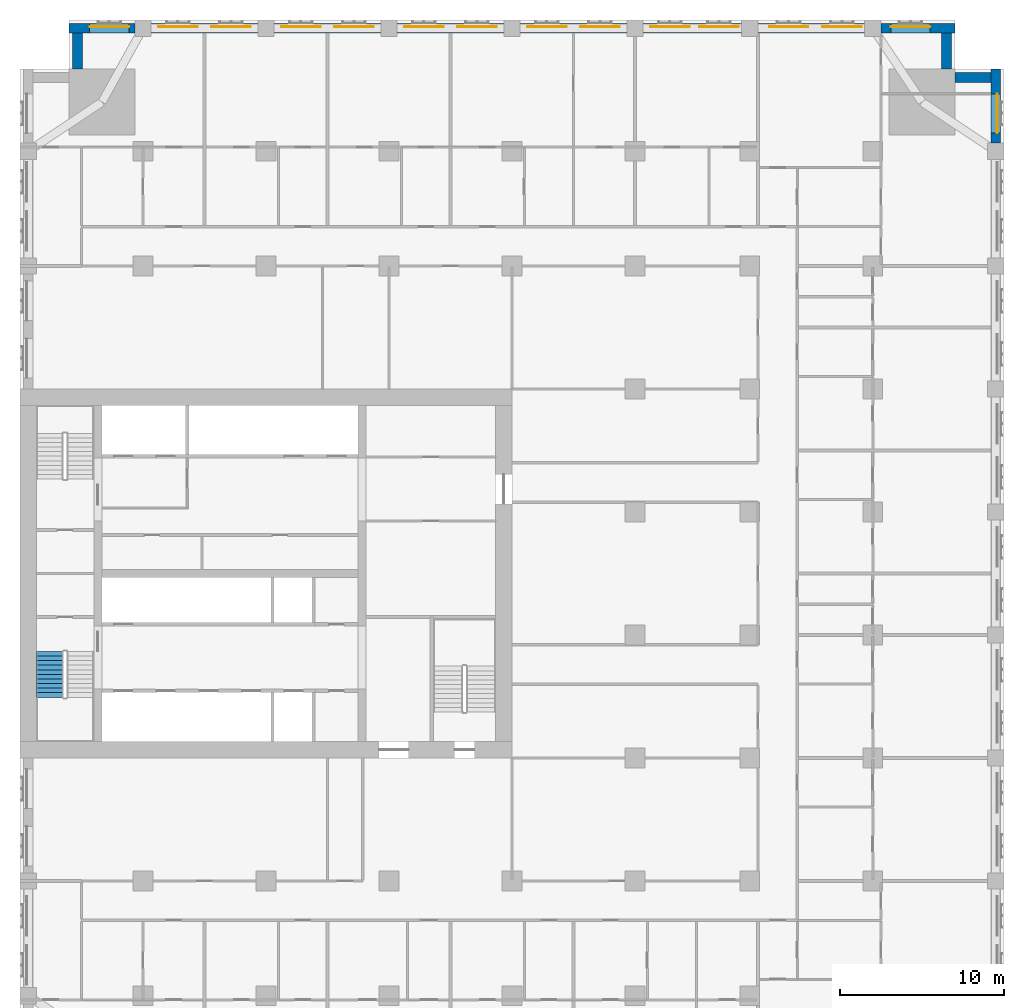
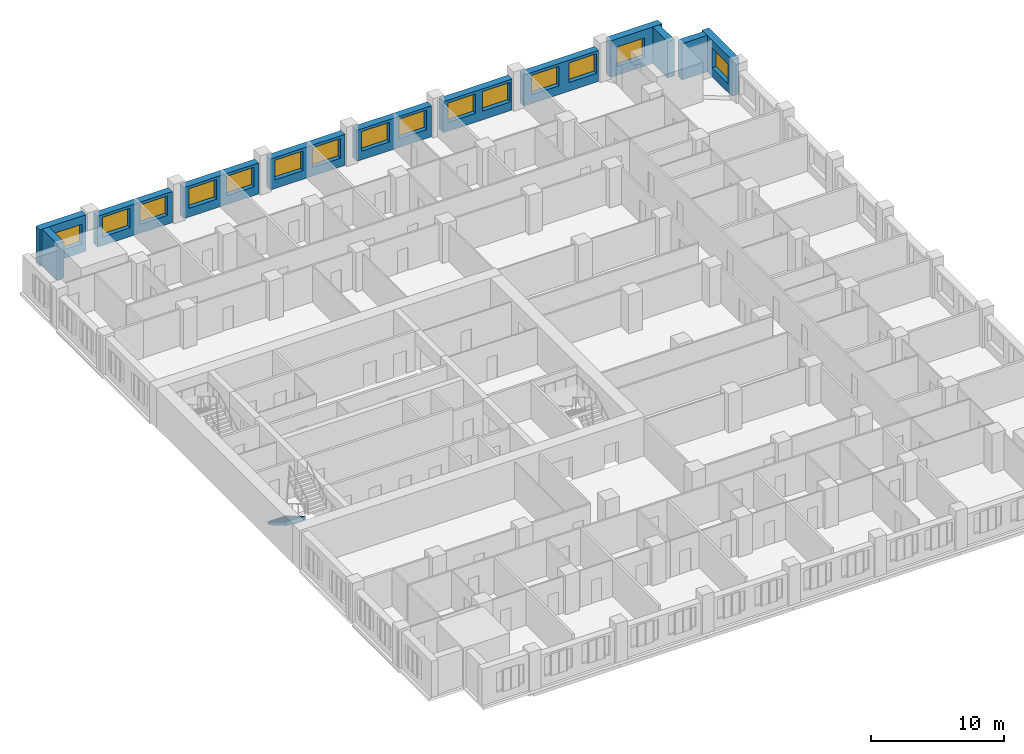
# One storey, part 11 of 14: 15 windows, 12 walls, 1 stair flight, 15 openings, 1 element without a shape of its own.
"""IFC4 building model written with IfcOpenShell, lengths in metres."""

from ifc_helpers import new_model, si_unit, direction, frame, frame_2d, origin, place, context, subcontext, project, spatial, polyline, rectangle, outline, extrude, material, layer, layer_set, type_object, element, fill, aggregate, save


model = new_model("IFC4")

# Units and contexts
model_context = context("Model", 3, precision=1e-05, world=origin(), true_north=direction((0.0, 1.0)))
body_context = subcontext(model_context, "Body", "Model", "MODEL_VIEW")
ifc_project = project(units=[si_unit("LENGTHUNIT", "METRE"), si_unit("AREAUNIT", "SQUARE_METRE"), si_unit("VOLUMEUNIT", "CUBIC_METRE"), si_unit("PLANEANGLEUNIT", "RADIAN"), si_unit("MASSUNIT", "GRAM", prefix="KILO")], contexts=[model_context])

# Site, building, storey
site_placement = place(None, origin())
site = spatial("IfcSite", under=ifc_project, at=site_placement, CompositionType="ELEMENT")
building_placement = place(site_placement, origin())
building = spatial("IfcBuilding", under=site, at=building_placement, Name="Tamorin Gate", CompositionType="ELEMENT")
storey_placement = place(building_placement, frame((0.0, 0.0, 37.60009765625)))
storey = spatial("IfcBuildingStorey", under=building, at=storey_placement, Name="L07", CompositionType="ELEMENT", Elevation=37.60009765625)

# Wall, opening, window
ifc_material_1 = material(Name="Precast concrete C40/50", Category="concrete")
ifc_layer = layer(ifc_material_1, 0.60009765625)
ifc_layer_set = layer_set([ifc_layer], Name="Precast concrete C40/50")
wall_type = type_object("IfcWallType", Name="Board-marked concrete facade panel 600", PredefinedType="SOLIDWALL", material=ifc_layer_set)
wall_1_placement = place(storey_placement, frame((89.5, 97.5, 0.0), z_axis=(0.0, 0.0, 1.0), x_axis=(0.0, 1.0, 0.0)))
wall_1 = element("IfcWall", 1, at=wall_1_placement, inside=storey, type_object=wall_type, Name="Facade panel", PredefinedType="SOLIDWALL", context=body_context, shape_type="SweptSolid", body=[
    extrude(rectangle(XDim=4.5, YDim=0.60009765625, at=frame_2d((2.25, 0.0))), origin(), (0.0, 0.0, 1.0), 3.349853515625),
])
opening_1_placement = place(wall_1_placement, frame((0.60009765625, 0.0, 0.800048828125)))
opening_1 = element("IfcOpeningElement", 2, at=opening_1_placement, cuts=wall_1, Name="Opening WN1", PredefinedType="OPENING", context=body_context, shape_type="SweptSolid", body=[
    extrude(rectangle(XDim=2.39990234375, YDim=1.800048828125, at=frame_2d((1.199951171875, 0.89990234375))), frame((0.0, 0.31005859375, 0.0), z_axis=(0.0, -1.0, 0.0), x_axis=(1.0, 0.0, 0.0)), (0.0, 0.0, 1.0), 0.6201171875),
])
ifc_material_2 = material(Name="Clear glass in aluminium frame", Category="aluminium")
window_type = type_object("IfcWindowType", Name="Deep-set window 2400x1800", PartitioningType="SINGLE_PANEL", PredefinedType="WINDOW", material=ifc_material_2)
window_1_placement = place(opening_1_placement, origin())
window_1 = element("IfcWindow", 3, at=window_1_placement, inside=storey, type_object=window_type, Name="Deep-set window", OverallHeight=1.800048828125, OverallWidth=2.39990234375, PartitioningType="SINGLE_PANEL", PredefinedType="WINDOW", context=body_context, shape_type="SweptSolid", body=[
    extrude(rectangle(XDim=2.39990234375, YDim=1.800048828125, at=frame_2d((1.199951171875, 0.89990234375))), frame((0.0, -0.070068359375, 0.0), z_axis=(0.0, -1.0, 0.0), x_axis=(1.0, 0.0, 0.0)), (0.0, 0.0, 1.0), 0.06005859375),
])
fill(opening_1, window_1)

# Walls
for number, where, z_axis, x_axis, name in (
    (4, (89.199951171875, 101.5, 0.0), (0.0, 0.0, 1.0), (-1.0, 0.0, 0.0), "Facade panel"),
    (5, (86.5, 102.0, 0.0), (0.0, 0.0, 1.0), (0.0, 1.0, 0.0), "Facade panel"),
):
    element("IfcWall", number, at=place(storey_placement, frame(where, z_axis=z_axis, x_axis=x_axis)), inside=storey, type_object=wall_type, Name=name, PredefinedType="SOLIDWALL", context=body_context, shape_type="SweptSolid", body=[
        extrude(rectangle(XDim=2.199951171875, YDim=0.60009765625, at=frame_2d((1.10009765625, 0.0))), origin(), (0.0, 0.0, 1.0), 3.349853515625),
    ])

# Wall, opening, window
wall_2_placement = place(storey_placement, frame((87.0, 104.5, 0.0), z_axis=(0.0, 0.0, 1.0), x_axis=(-1.0, 0.0, 0.0)))
wall_2 = element("IfcWall", 6, at=wall_2_placement, inside=storey, type_object=wall_type, Name="Facade panel", PredefinedType="SOLIDWALL", context=body_context, shape_type="SweptSolid", body=[
    extrude(rectangle(XDim=4.5, YDim=0.60009765625, at=frame_2d((2.25, 0.0))), origin(), (0.0, 0.0, 1.0), 3.349853515625),
])
opening_2_placement = place(wall_2_placement, frame((1.5, 0.0, 0.800048828125)))
opening_2 = element("IfcOpeningElement", 7, at=opening_2_placement, cuts=wall_2, Name="Opening WN1", PredefinedType="OPENING", context=body_context, shape_type="SweptSolid", body=[
    extrude(rectangle(XDim=2.39990234375, YDim=1.800048828125, at=frame_2d((1.199951171875, 0.89990234375))), frame((0.0, 0.31005859375, 0.0), z_axis=(0.0, -1.0, 0.0), x_axis=(1.0, 0.0, 0.0)), (0.0, 0.0, 1.0), 0.6201171875),
])
window_2_placement = place(opening_2_placement, origin())
window_2 = element("IfcWindow", 8, at=window_2_placement, inside=storey, type_object=window_type, Name="Deep-set window", OverallHeight=1.800048828125, OverallWidth=2.39990234375, PartitioningType="SINGLE_PANEL", PredefinedType="WINDOW", context=body_context, shape_type="SweptSolid", body=[
    extrude(rectangle(XDim=2.39990234375, YDim=1.800048828125, at=frame_2d((1.199951171875, 0.89990234375))), frame((0.0, -0.070068359375, 0.0), z_axis=(0.0, -1.0, 0.0), x_axis=(1.0, 0.0, 0.0)), (0.0, 0.0, 1.0), 0.06005859375),
])
fill(opening_2, window_2)

# Wall, openings, windows
wall_3_placement = place(storey_placement, frame((81.5, 104.5, 0.0), z_axis=(0.0, 0.0, 1.0), x_axis=(-1.0, 0.0, 0.0)))
wall_3 = element("IfcWall", 9, at=wall_3_placement, inside=storey, type_object=wall_type, Name="Facade panel", PredefinedType="SOLIDWALL", context=body_context, shape_type="SweptSolid", body=[
    extrude(rectangle(XDim=6.5, YDim=0.60009765625, at=frame_2d((3.25, 0.0))), origin(), (0.0, 0.0, 1.0), 2.849853515625),
])
opening_3_placement = place(wall_3_placement, frame((3.425048828125, 0.0, 0.800048828125)))
opening_3 = element("IfcOpeningElement", 10, at=opening_3_placement, cuts=wall_3, Name="Opening WN1", PredefinedType="OPENING", context=body_context, shape_type="SweptSolid", body=[
    extrude(rectangle(XDim=2.39990234375, YDim=1.800048828125, at=frame_2d((1.199951171875, 0.89990234375))), frame((0.0, 0.31005859375, 0.0), z_axis=(0.0, -1.0, 0.0), x_axis=(1.0, 0.0, 0.0)), (0.0, 0.0, 1.0), 0.6201171875),
])
opening_4_placement = place(wall_3_placement, frame((0.175048828125, 0.0, 0.800048828125)))
opening_4 = element("IfcOpeningElement", 11, at=opening_4_placement, cuts=wall_3, Name="Opening WN1", PredefinedType="OPENING", context=body_context, shape_type="SweptSolid", body=[
    extrude(rectangle(XDim=2.39990234375, YDim=1.800048828125, at=frame_2d((1.199951171875, 0.89990234375))), frame((0.0, 0.31005859375, 0.0), z_axis=(0.0, -1.0, 0.0), x_axis=(1.0, 0.0, 0.0)), (0.0, 0.0, 1.0), 0.6201171875),
])
window_3_placement = place(opening_3_placement, origin())
window_3 = element("IfcWindow", 12, at=window_3_placement, inside=storey, type_object=window_type, Name="Deep-set window", OverallHeight=1.800048828125, OverallWidth=2.39990234375, PartitioningType="SINGLE_PANEL", PredefinedType="WINDOW", context=body_context, shape_type="SweptSolid", body=[
    extrude(rectangle(XDim=2.39990234375, YDim=1.800048828125, at=frame_2d((1.199951171875, 0.89990234375))), frame((0.0, -0.070068359375, 0.0), z_axis=(0.0, -1.0, 0.0), x_axis=(1.0, 0.0, 0.0)), (0.0, 0.0, 1.0), 0.06005859375),
])
fill(opening_3, window_3)
window_4_placement = place(opening_4_placement, origin())
window_4 = element("IfcWindow", 13, at=window_4_placement, inside=storey, type_object=window_type, Name="Deep-set window", OverallHeight=1.800048828125, OverallWidth=2.39990234375, PartitioningType="SINGLE_PANEL", PredefinedType="WINDOW", context=body_context, shape_type="SweptSolid", body=[
    extrude(rectangle(XDim=2.39990234375, YDim=1.800048828125, at=frame_2d((1.199951171875, 0.89990234375))), frame((0.0, -0.070068359375, 0.0), z_axis=(0.0, -1.0, 0.0), x_axis=(1.0, 0.0, 0.0)), (0.0, 0.0, 1.0), 0.06005859375),
])
fill(opening_4, window_4)

wall_4_placement = place(storey_placement, frame((74.0, 104.5, 0.0), z_axis=(0.0, 0.0, 1.0), x_axis=(-1.0, 0.0, 0.0)))
wall_4 = element("IfcWall", 14, at=wall_4_placement, inside=storey, type_object=wall_type, Name="Facade panel", PredefinedType="SOLIDWALL", context=body_context, shape_type="SweptSolid", body=[
    extrude(rectangle(XDim=6.0, YDim=0.60009765625, at=frame_2d((3.0, 0.0))), origin(), (0.0, 0.0, 1.0), 2.849853515625),
])
opening_5_placement = place(wall_4_placement, frame((3.175048828125, 0.0, 0.800048828125)))
opening_5 = element("IfcOpeningElement", 15, at=opening_5_placement, cuts=wall_4, Name="Opening WN1", PredefinedType="OPENING", context=body_context, shape_type="SweptSolid", body=[
    extrude(rectangle(XDim=2.39990234375, YDim=1.800048828125, at=frame_2d((1.199951171875, 0.89990234375))), frame((0.0, 0.31005859375, 0.0), z_axis=(0.0, -1.0, 0.0), x_axis=(1.0, 0.0, 0.0)), (0.0, 0.0, 1.0), 0.6201171875),
])
opening_6_placement = place(wall_4_placement, frame((0.175048828125, 0.0, 0.800048828125)))
opening_6 = element("IfcOpeningElement", 16, at=opening_6_placement, cuts=wall_4, Name="Opening WN1", PredefinedType="OPENING", context=body_context, shape_type="SweptSolid", body=[
    extrude(rectangle(XDim=2.39990234375, YDim=1.800048828125, at=frame_2d((1.199951171875, 0.89990234375))), frame((0.0, 0.31005859375, 0.0), z_axis=(0.0, -1.0, 0.0), x_axis=(1.0, 0.0, 0.0)), (0.0, 0.0, 1.0), 0.6201171875),
])
window_5_placement = place(opening_5_placement, origin())
window_5 = element("IfcWindow", 17, at=window_5_placement, inside=storey, type_object=window_type, Name="Deep-set window", OverallHeight=1.800048828125, OverallWidth=2.39990234375, PartitioningType="SINGLE_PANEL", PredefinedType="WINDOW", context=body_context, shape_type="SweptSolid", body=[
    extrude(rectangle(XDim=2.39990234375, YDim=1.800048828125, at=frame_2d((1.199951171875, 0.89990234375))), frame((0.0, -0.070068359375, 0.0), z_axis=(0.0, -1.0, 0.0), x_axis=(1.0, 0.0, 0.0)), (0.0, 0.0, 1.0), 0.06005859375),
])
fill(opening_5, window_5)
window_6_placement = place(opening_6_placement, origin())
window_6 = element("IfcWindow", 18, at=window_6_placement, inside=storey, type_object=window_type, Name="Deep-set window", OverallHeight=1.800048828125, OverallWidth=2.39990234375, PartitioningType="SINGLE_PANEL", PredefinedType="WINDOW", context=body_context, shape_type="SweptSolid", body=[
    extrude(rectangle(XDim=2.39990234375, YDim=1.800048828125, at=frame_2d((1.199951171875, 0.89990234375))), frame((0.0, -0.070068359375, 0.0), z_axis=(0.0, -1.0, 0.0), x_axis=(1.0, 0.0, 0.0)), (0.0, 0.0, 1.0), 0.06005859375),
])
fill(opening_6, window_6)

wall_5_placement = place(storey_placement, frame((67.0, 104.5, 0.0), z_axis=(0.0, 0.0, 1.0), x_axis=(-1.0, 0.0, 0.0)))
wall_5 = element("IfcWall", 19, at=wall_5_placement, inside=storey, type_object=wall_type, Name="Facade panel", PredefinedType="SOLIDWALL", context=body_context, shape_type="SweptSolid", body=[
    extrude(rectangle(XDim=6.5, YDim=0.60009765625, at=frame_2d((3.25, 0.0))), origin(), (0.0, 0.0, 1.0), 2.849853515625),
])
opening_7_placement = place(wall_5_placement, frame((3.675048828125, 0.0, 0.800048828125)))
opening_7 = element("IfcOpeningElement", 20, at=opening_7_placement, cuts=wall_5, Name="Opening WN1", PredefinedType="OPENING", context=body_context, shape_type="SweptSolid", body=[
    extrude(rectangle(XDim=2.39990234375, YDim=1.800048828125, at=frame_2d((1.199951171875, 0.89990234375))), frame((0.0, 0.31005859375, 0.0), z_axis=(0.0, -1.0, 0.0), x_axis=(1.0, 0.0, 0.0)), (0.0, 0.0, 1.0), 0.6201171875),
])
opening_8_placement = place(wall_5_placement, frame((0.425048828125, 0.0, 0.800048828125)))
opening_8 = element("IfcOpeningElement", 21, at=opening_8_placement, cuts=wall_5, Name="Opening WN1", PredefinedType="OPENING", context=body_context, shape_type="SweptSolid", body=[
    extrude(rectangle(XDim=2.39990234375, YDim=1.800048828125, at=frame_2d((1.199951171875, 0.89990234375))), frame((0.0, 0.31005859375, 0.0), z_axis=(0.0, -1.0, 0.0), x_axis=(1.0, 0.0, 0.0)), (0.0, 0.0, 1.0), 0.6201171875),
])
window_7_placement = place(opening_7_placement, origin())
window_7 = element("IfcWindow", 22, at=window_7_placement, inside=storey, type_object=window_type, Name="Deep-set window", OverallHeight=1.800048828125, OverallWidth=2.39990234375, PartitioningType="SINGLE_PANEL", PredefinedType="WINDOW", context=body_context, shape_type="SweptSolid", body=[
    extrude(rectangle(XDim=2.39990234375, YDim=1.800048828125, at=frame_2d((1.199951171875, 0.89990234375))), frame((0.0, -0.070068359375, 0.0), z_axis=(0.0, -1.0, 0.0), x_axis=(1.0, 0.0, 0.0)), (0.0, 0.0, 1.0), 0.06005859375),
])
fill(opening_7, window_7)
window_8_placement = place(opening_8_placement, origin())
window_8 = element("IfcWindow", 23, at=window_8_placement, inside=storey, type_object=window_type, Name="Deep-set window", OverallHeight=1.800048828125, OverallWidth=2.39990234375, PartitioningType="SINGLE_PANEL", PredefinedType="WINDOW", context=body_context, shape_type="SweptSolid", body=[
    extrude(rectangle(XDim=2.39990234375, YDim=1.800048828125, at=frame_2d((1.199951171875, 0.89990234375))), frame((0.0, -0.070068359375, 0.0), z_axis=(0.0, -1.0, 0.0), x_axis=(1.0, 0.0, 0.0)), (0.0, 0.0, 1.0), 0.06005859375),
])
fill(opening_8, window_8)

wall_6_placement = place(storey_placement, frame((59.5, 104.5, 0.0), z_axis=(0.0, 0.0, 1.0), x_axis=(-1.0, 0.0, 0.0)))
wall_6 = element("IfcWall", 24, at=wall_6_placement, inside=storey, type_object=wall_type, Name="Facade panel", PredefinedType="SOLIDWALL", context=body_context, shape_type="SweptSolid", body=[
    extrude(rectangle(XDim=6.5, YDim=0.60009765625, at=frame_2d((3.25, 0.0))), origin(), (0.0, 0.0, 1.0), 2.849853515625),
])
opening_9_placement = place(wall_6_placement, frame((3.675048828125, 0.0, 0.800048828125)))
opening_9 = element("IfcOpeningElement", 25, at=opening_9_placement, cuts=wall_6, Name="Opening WN1", PredefinedType="OPENING", context=body_context, shape_type="SweptSolid", body=[
    extrude(rectangle(XDim=2.39990234375, YDim=1.800048828125, at=frame_2d((1.199951171875, 0.89990234375))), frame((0.0, 0.31005859375, 0.0), z_axis=(0.0, -1.0, 0.0), x_axis=(1.0, 0.0, 0.0)), (0.0, 0.0, 1.0), 0.6201171875),
])
opening_10_placement = place(wall_6_placement, frame((0.425048828125, 0.0, 0.800048828125)))
opening_10 = element("IfcOpeningElement", 26, at=opening_10_placement, cuts=wall_6, Name="Opening WN1", PredefinedType="OPENING", context=body_context, shape_type="SweptSolid", body=[
    extrude(rectangle(XDim=2.39990234375, YDim=1.800048828125, at=frame_2d((1.199951171875, 0.89990234375))), frame((0.0, 0.31005859375, 0.0), z_axis=(0.0, -1.0, 0.0), x_axis=(1.0, 0.0, 0.0)), (0.0, 0.0, 1.0), 0.6201171875),
])
window_9_placement = place(opening_9_placement, origin())
window_9 = element("IfcWindow", 27, at=window_9_placement, inside=storey, type_object=window_type, Name="Deep-set window", OverallHeight=1.800048828125, OverallWidth=2.39990234375, PartitioningType="SINGLE_PANEL", PredefinedType="WINDOW", context=body_context, shape_type="SweptSolid", body=[
    extrude(rectangle(XDim=2.39990234375, YDim=1.800048828125, at=frame_2d((1.199951171875, 0.89990234375))), frame((0.0, -0.070068359375, 0.0), z_axis=(0.0, -1.0, 0.0), x_axis=(1.0, 0.0, 0.0)), (0.0, 0.0, 1.0), 0.06005859375),
])
fill(opening_9, window_9)
window_10_placement = place(opening_10_placement, origin())
window_10 = element("IfcWindow", 28, at=window_10_placement, inside=storey, type_object=window_type, Name="Deep-set window", OverallHeight=1.800048828125, OverallWidth=2.39990234375, PartitioningType="SINGLE_PANEL", PredefinedType="WINDOW", context=body_context, shape_type="SweptSolid", body=[
    extrude(rectangle(XDim=2.39990234375, YDim=1.800048828125, at=frame_2d((1.199951171875, 0.89990234375))), frame((0.0, -0.070068359375, 0.0), z_axis=(0.0, -1.0, 0.0), x_axis=(1.0, 0.0, 0.0)), (0.0, 0.0, 1.0), 0.06005859375),
])
fill(opening_10, window_10)

wall_7_placement = place(storey_placement, frame((52.0, 104.5, 0.0), z_axis=(0.0, 0.0, 1.0), x_axis=(-1.0, 0.0, 0.0)))
wall_7 = element("IfcWall", 29, at=wall_7_placement, inside=storey, type_object=wall_type, Name="Facade panel", PredefinedType="SOLIDWALL", context=body_context, shape_type="SweptSolid", body=[
    extrude(rectangle(XDim=6.5, YDim=0.60009765625, at=frame_2d((3.25, 0.0))), origin(), (0.0, 0.0, 1.0), 2.849853515625),
])
opening_11_placement = place(wall_7_placement, frame((3.675048828125, 0.0, 0.800048828125)))
opening_11 = element("IfcOpeningElement", 30, at=opening_11_placement, cuts=wall_7, Name="Opening WN1", PredefinedType="OPENING", context=body_context, shape_type="SweptSolid", body=[
    extrude(rectangle(XDim=2.39990234375, YDim=1.800048828125, at=frame_2d((1.199951171875, 0.89990234375))), frame((0.0, 0.31005859375, 0.0), z_axis=(0.0, -1.0, 0.0), x_axis=(1.0, 0.0, 0.0)), (0.0, 0.0, 1.0), 0.6201171875),
])
opening_12_placement = place(wall_7_placement, frame((0.425048828125, 0.0, 0.800048828125)))
opening_12 = element("IfcOpeningElement", 31, at=opening_12_placement, cuts=wall_7, Name="Opening WN1", PredefinedType="OPENING", context=body_context, shape_type="SweptSolid", body=[
    extrude(rectangle(XDim=2.39990234375, YDim=1.800048828125, at=frame_2d((1.199951171875, 0.89990234375))), frame((0.0, 0.31005859375, 0.0), z_axis=(0.0, -1.0, 0.0), x_axis=(1.0, 0.0, 0.0)), (0.0, 0.0, 1.0), 0.6201171875),
])
window_11_placement = place(opening_11_placement, origin())
window_11 = element("IfcWindow", 32, at=window_11_placement, inside=storey, type_object=window_type, Name="Deep-set window", OverallHeight=1.800048828125, OverallWidth=2.39990234375, PartitioningType="SINGLE_PANEL", PredefinedType="WINDOW", context=body_context, shape_type="SweptSolid", body=[
    extrude(rectangle(XDim=2.39990234375, YDim=1.800048828125, at=frame_2d((1.199951171875, 0.89990234375))), frame((0.0, -0.070068359375, 0.0), z_axis=(0.0, -1.0, 0.0), x_axis=(1.0, 0.0, 0.0)), (0.0, 0.0, 1.0), 0.06005859375),
])
fill(opening_11, window_11)
window_12_placement = place(opening_12_placement, origin())
window_12 = element("IfcWindow", 33, at=window_12_placement, inside=storey, type_object=window_type, Name="Deep-set window", OverallHeight=1.800048828125, OverallWidth=2.39990234375, PartitioningType="SINGLE_PANEL", PredefinedType="WINDOW", context=body_context, shape_type="SweptSolid", body=[
    extrude(rectangle(XDim=2.39990234375, YDim=1.800048828125, at=frame_2d((1.199951171875, 0.89990234375))), frame((0.0, -0.070068359375, 0.0), z_axis=(0.0, -1.0, 0.0), x_axis=(1.0, 0.0, 0.0)), (0.0, 0.0, 1.0), 0.06005859375),
])
fill(opening_12, window_12)

wall_8_placement = place(storey_placement, frame((44.5, 104.5, 0.0), z_axis=(0.0, 0.0, 1.0), x_axis=(-1.0, 0.0, 0.0)))
wall_8 = element("IfcWall", 34, at=wall_8_placement, inside=storey, type_object=wall_type, Name="Facade panel", PredefinedType="SOLIDWALL", context=body_context, shape_type="SweptSolid", body=[
    extrude(rectangle(XDim=6.5, YDim=0.60009765625, at=frame_2d((3.25, 0.0))), origin(), (0.0, 0.0, 1.0), 2.849853515625),
])
opening_13_placement = place(wall_8_placement, frame((3.675048828125, 0.0, 0.800048828125)))
opening_13 = element("IfcOpeningElement", 35, at=opening_13_placement, cuts=wall_8, Name="Opening WN1", PredefinedType="OPENING", context=body_context, shape_type="SweptSolid", body=[
    extrude(rectangle(XDim=2.39990234375, YDim=1.800048828125, at=frame_2d((1.199951171875, 0.89990234375))), frame((0.0, 0.31005859375, 0.0), z_axis=(0.0, -1.0, 0.0), x_axis=(1.0, 0.0, 0.0)), (0.0, 0.0, 1.0), 0.6201171875),
])
opening_14_placement = place(wall_8_placement, frame((0.425048828125, 0.0, 0.800048828125)))
opening_14 = element("IfcOpeningElement", 36, at=opening_14_placement, cuts=wall_8, Name="Opening WN1", PredefinedType="OPENING", context=body_context, shape_type="SweptSolid", body=[
    extrude(rectangle(XDim=2.39990234375, YDim=1.800048828125, at=frame_2d((1.199951171875, 0.89990234375))), frame((0.0, 0.31005859375, 0.0), z_axis=(0.0, -1.0, 0.0), x_axis=(1.0, 0.0, 0.0)), (0.0, 0.0, 1.0), 0.6201171875),
])
window_13_placement = place(opening_13_placement, origin())
window_13 = element("IfcWindow", 37, at=window_13_placement, inside=storey, type_object=window_type, Name="Deep-set window", OverallHeight=1.800048828125, OverallWidth=2.39990234375, PartitioningType="SINGLE_PANEL", PredefinedType="WINDOW", context=body_context, shape_type="SweptSolid", body=[
    extrude(rectangle(XDim=2.39990234375, YDim=1.800048828125, at=frame_2d((1.199951171875, 0.89990234375))), frame((0.0, -0.070068359375, 0.0), z_axis=(0.0, -1.0, 0.0), x_axis=(1.0, 0.0, 0.0)), (0.0, 0.0, 1.0), 0.06005859375),
])
fill(opening_13, window_13)
window_14_placement = place(opening_14_placement, origin())
window_14 = element("IfcWindow", 38, at=window_14_placement, inside=storey, type_object=window_type, Name="Deep-set window", OverallHeight=1.800048828125, OverallWidth=2.39990234375, PartitioningType="SINGLE_PANEL", PredefinedType="WINDOW", context=body_context, shape_type="SweptSolid", body=[
    extrude(rectangle(XDim=2.39990234375, YDim=1.800048828125, at=frame_2d((1.199951171875, 0.89990234375))), frame((0.0, -0.070068359375, 0.0), z_axis=(0.0, -1.0, 0.0), x_axis=(1.0, 0.0, 0.0)), (0.0, 0.0, 1.0), 0.06005859375),
])
fill(opening_14, window_14)

# Wall, opening, window
wall_9_placement = place(storey_placement, frame((37.0, 104.5, 0.0), z_axis=(0.0, 0.0, 1.0), x_axis=(-1.0, 0.0, 0.0)))
wall_9 = element("IfcWall", 39, at=wall_9_placement, inside=storey, type_object=wall_type, Name="Facade panel", PredefinedType="SOLIDWALL", context=body_context, shape_type="SweptSolid", body=[
    extrude(rectangle(XDim=4.0, YDim=0.60009765625, at=frame_2d((2.0, 0.0))), origin(), (0.0, 0.0, 1.0), 3.349853515625),
])
opening_15_placement = place(wall_9_placement, frame((0.35009765625, 0.0, 0.800048828125)))
opening_15 = element("IfcOpeningElement", 40, at=opening_15_placement, cuts=wall_9, Name="Opening WN1", PredefinedType="OPENING", context=body_context, shape_type="SweptSolid", body=[
    extrude(rectangle(XDim=2.39990234375, YDim=1.800048828125, at=frame_2d((1.199951171875, 0.89990234375))), frame((0.0, 0.31005859375, 0.0), z_axis=(0.0, -1.0, 0.0), x_axis=(1.0, 0.0, 0.0)), (0.0, 0.0, 1.0), 0.6201171875),
])
window_15_placement = place(opening_15_placement, origin())
window_15 = element("IfcWindow", 41, at=window_15_placement, inside=storey, type_object=window_type, Name="Deep-set window", OverallHeight=1.800048828125, OverallWidth=2.39990234375, PartitioningType="SINGLE_PANEL", PredefinedType="WINDOW", context=body_context, shape_type="SweptSolid", body=[
    extrude(rectangle(XDim=2.39990234375, YDim=1.800048828125, at=frame_2d((1.199951171875, 0.89990234375))), frame((0.0, -0.070068359375, 0.0), z_axis=(0.0, -1.0, 0.0), x_axis=(1.0, 0.0, 0.0)), (0.0, 0.0, 1.0), 0.06005859375),
])
fill(opening_15, window_15)

# Wall
wall_10_placement = place(storey_placement, frame((33.5, 104.199951171875, 0.0), z_axis=(0.0, 0.0, 1.0), x_axis=(0.0, -1.0, 0.0)))
element("IfcWall", 42, at=wall_10_placement, inside=storey, type_object=wall_type, Name="Facade panel", PredefinedType="SOLIDWALL", context=body_context, shape_type="SweptSolid", body=[
    extrude(rectangle(XDim=2.199951171875, YDim=0.60009765625, at=frame_2d((1.10009765625, 0.0))), origin(), (0.0, 0.0, 1.0), 3.349853515625),
])

# Stair, stair flight
ifc_material_3 = material(Name="Concrete C40/50", Category="concrete")
stair_type = type_object("IfcStairType", Name="Exit stair", PredefinedType="HALF_TURN_STAIR", material=ifc_material_3)
stair_placement = place(storey_placement, origin())
stair = element("IfcStair", 43, at=stair_placement, inside=storey, type_object=stair_type, Name="L07 stair ST1", PredefinedType="HALF_TURN_STAIR")
stair_flight_type = type_object("IfcStairFlightType", Name="Exit stair flight", PredefinedType="STRAIGHT", material=ifc_material_3)
stair_flight_placement = place(storey_placement, frame((31.824951171875, 66.5, 0.0), z_axis=(0.0, 0.0, 1.0), x_axis=(0.0, -1.0, 0.0)))
stair_flight = element("IfcStairFlight", 44, at=stair_flight_placement, type_object=stair_flight_type, Name="ST1 flight 1", NumberOfRisers=11, NumberOfTreads=10, PredefinedType="STRAIGHT", RiserHeight=0.163636364, TreadLength=0.28, context=body_context, shape_type="SweptSolid", body=[
    extrude(outline(polyline([(-0.00048828125, 0.0), (-0.00048828125, 0.001708984375), (-0.00048828125, 0.003173828125), (-0.00048828125, 0.0048828125), (-0.00048828125, 0.006591796875), (-0.00048828125, 0.008056640625), (-0.00048828125, 0.009765625), (-0.00048828125, 0.01123046875), (-0.00048828125, 0.012939453125), (-0.00048828125, 0.0146484375), (-0.00048828125, 0.01611328125), (-0.00048828125, 0.017822265625), (-0.00048828125, 0.01953125), (-0.00048828125, 0.02099609375), (-0.00048828125, 0.022705078125), (-0.00048828125, 0.0244140625), (-0.00048828125, 0.02587890625), (-0.00048828125, 0.027587890625), (-0.00048828125, 0.029052734375), (-0.00048828125, 0.03076171875), (-0.00048828125, 0.032470703125), (-0.00048828125, 0.033935546875), (-0.00048828125, 0.03564453125), (-0.00048828125, 0.037353515625), (-0.00048828125, 0.038818359375), (-0.00048828125, 0.04052734375), (-0.00048828125, 0.042236328125), (-0.00048828125, 0.043701171875), (-0.00048828125, 0.04541015625), (-0.00048828125, 0.046875), (-0.00048828125, 0.048583984375), (-0.00048828125, 0.05029296875), (-0.00048828125, 0.0517578125), (-0.00048828125, 0.053466796875), (-0.00048828125, 0.05517578125), (-0.00048828125, 0.056640625), (-0.00048828125, 0.058349609375), (-0.00048828125, 0.06005859375), (-0.00048828125, 0.0615234375), (-0.00048828125, 0.063232421875), (-0.00048828125, 0.064697265625), (-0.00048828125, 0.06640625), (-0.00048828125, 0.068115234375), (-0.00048828125, 0.069580078125), (-0.00048828125, 0.0712890625), (-0.00048828125, 0.072998046875), (-0.00048828125, 0.074462890625), (-0.00048828125, 0.076171875), (-0.00048828125, 0.077880859375), (-0.00048828125, 0.079345703125), (-0.00048828125, 0.0810546875), (-0.00048828125, 0.08251953125), (-0.00048828125, 0.084228515625), (-0.00048828125, 0.0859375), (-0.00048828125, 0.08740234375), (-0.00048828125, 0.089111328125), (-0.00048828125, 0.0908203125), (-0.00048828125, 0.09228515625), (-0.00048828125, 0.093994140625), (-0.00048828125, 0.095703125), (-0.00048828125, 0.09716796875), (-0.00048828125, 0.098876953125), (-0.00048828125, 0.100341796875), (-0.00048828125, 0.10205078125), (-0.00048828125, 0.103759765625), (-0.00048828125, 0.105224609375), (-0.00048828125, 0.10693359375), (-0.00048828125, 0.108642578125), (-0.00048828125, 0.110107421875), (-0.00048828125, 0.11181640625), (-0.00048828125, 0.113525390625), (-0.00048828125, 0.114990234375), (-0.00048828125, 0.11669921875), (-0.00048828125, 0.1181640625), (-0.00048828125, 0.119873046875), (-0.00048828125, 0.12158203125), (-0.00048828125, 0.123046875), (-0.00048828125, 0.124755859375), (-0.00048828125, 0.12646484375), (-0.00048828125, 0.1279296875), (-0.00048828125, 0.129638671875), (-0.00048828125, 0.13134765625), (-0.00048828125, 0.1328125), (-0.00048828125, 0.134521484375), (-0.00048828125, 0.135986328125), (-0.00048828125, 0.1376953125), (-0.00048828125, 0.139404296875), (-0.00048828125, 0.140869140625), (-0.00048828125, 0.142578125), (-0.00048828125, 0.144287109375), (-0.00048828125, 0.145751953125), (-0.00048828125, 0.1474609375), (-0.00048828125, 0.149169921875), (-0.00048828125, 0.150634765625), (-0.00048828125, 0.15234375), (-0.00048828125, 0.15380859375), (-0.00048828125, 0.155517578125), (-0.00048828125, 0.1572265625), (-0.00048828125, 0.15869140625), (-0.00048828125, 0.160400390625), (-0.00048828125, 0.162109375), (-0.00048828125, 0.16357421875), (0.280029296875, 0.16357421875), (0.280029296875, 0.327392578125), (0.56005859375, 0.327392578125), (0.56005859375, 0.490966796875), (0.840087890625, 0.490966796875), (0.840087890625, 0.654541015625), (1.1201171875, 0.654541015625), (1.1201171875, 0.818115234375), (1.39990234375, 0.818115234375), (1.39990234375, 0.98193359375), (1.679931640625, 0.98193359375), (1.679931640625, 1.1455078125), (1.9599609375, 1.1455078125), (1.9599609375, 1.30908203125), (2.239990234375, 1.30908203125), (2.239990234375, 1.47265625), (2.52001953125, 1.47265625), (2.52001953125, 1.636474609375), (2.800048828125, 1.636474609375), (2.800048828125, 1.800048828125), (2.800537109375, 1.800048828125), (2.800537109375, 1.796630859375), (2.800537109375, 1.793212890625), (2.800537109375, 1.7900390625), (2.800537109375, 1.78662109375), (2.800537109375, 1.783203125), (2.800537109375, 1.780029296875), (2.800537109375, 1.776611328125), (2.800537109375, 1.773193359375), (2.800537109375, 1.77001953125), (2.800537109375, 1.7666015625), (2.800537109375, 1.76318359375), (2.800537109375, 1.760009765625), (2.800537109375, 1.756591796875), (2.800537109375, 1.753173828125), (2.800537109375, 1.75), (2.800537109375, 1.74658203125), (2.800537109375, 1.7431640625), (2.800537109375, 1.739990234375), (2.800537109375, 1.736572265625), (2.800537109375, 1.733154296875), (2.800537109375, 1.72998046875), (2.800537109375, 1.7265625), (2.800537109375, 1.72314453125), (2.800537109375, 1.719970703125), (2.800537109375, 1.716552734375), (2.800537109375, 1.713134765625), (2.800537109375, 1.7099609375), (2.800537109375, 1.70654296875), (2.800537109375, 1.703125), (2.800537109375, 1.69970703125), (2.800537109375, 1.696533203125), (2.800537109375, 1.693115234375), (2.800537109375, 1.689697265625), (2.800537109375, 1.6865234375), (2.800537109375, 1.68310546875), (2.800537109375, 1.6796875), (2.800537109375, 1.676513671875), (2.800537109375, 1.673095703125), (2.800537109375, 1.669677734375), (2.800537109375, 1.66650390625), (2.800537109375, 1.6630859375), (2.800537109375, 1.65966796875), (2.800537109375, 1.656494140625), (2.800537109375, 1.653076171875), (2.800537109375, 1.649658203125), (2.800537109375, 1.646484375), (2.800537109375, 1.64306640625), (2.800537109375, 1.6396484375), (2.800537109375, 1.636474609375), (2.800537109375, 1.633056640625), (2.800537109375, 1.629638671875), (2.800537109375, 1.62646484375), (2.800537109375, 1.623046875), (2.800537109375, 1.61962890625), (2.800537109375, 1.616455078125), (2.800537109375, 1.613037109375), (2.800537109375, 1.609619140625), (2.800537109375, 1.6064453125), (2.800537109375, 1.60302734375), (2.800537109375, 1.599609375), (2.800537109375, 1.59619140625), (2.800537109375, 1.593017578125), (2.800537109375, 1.589599609375), (2.800537109375, 1.586181640625), (2.800537109375, 1.5830078125), (2.800537109375, 1.57958984375), (2.800537109375, 1.576171875), (2.800537109375, 1.572998046875), (2.800537109375, 1.569580078125), (2.800537109375, 1.566162109375), (2.800537109375, 1.56298828125), (2.800537109375, 1.5595703125), (2.800537109375, 1.55615234375), (2.800537109375, 1.552978515625), (2.800537109375, 1.549560546875), (2.800537109375, 1.546142578125), (2.800537109375, 1.54296875), (2.800537109375, 1.53955078125), (2.800537109375, 1.5361328125), (2.800537109375, 1.532958984375), (2.800537109375, 1.529541015625), (2.800537109375, 1.526123046875), (2.800537109375, 1.52294921875), (2.800537109375, 1.51953125), (2.800537109375, 1.51611328125), (2.800537109375, 1.512939453125), (2.800537109375, 1.509521484375), (2.800537109375, 1.506103515625), (2.800537109375, 1.5029296875), (2.800537109375, 1.49951171875), (2.800537109375, 1.49609375), (2.800537109375, 1.49267578125), (2.800537109375, 1.489501953125), (2.800537109375, 1.486083984375), (2.800537109375, 1.482666015625), (2.800537109375, 1.4794921875), (2.800537109375, 1.47607421875), (2.800537109375, 1.47265625), (2.800537109375, 1.469482421875), (2.800537109375, 1.466064453125), (2.800537109375, 1.462646484375), (2.800048828125, 1.462646484375), (0.297119140625, 0.0), (-0.00048828125, 0.0)])), frame((0.0, 0.824951171875, 0.0), z_axis=(0.0, -1.0, 0.0), x_axis=(1.0, 0.0, 0.0)), (0.0, 0.0, 1.0), 1.64990234375),
])
aggregate(stair, [stair_flight])

save(model, "model.ifc")
